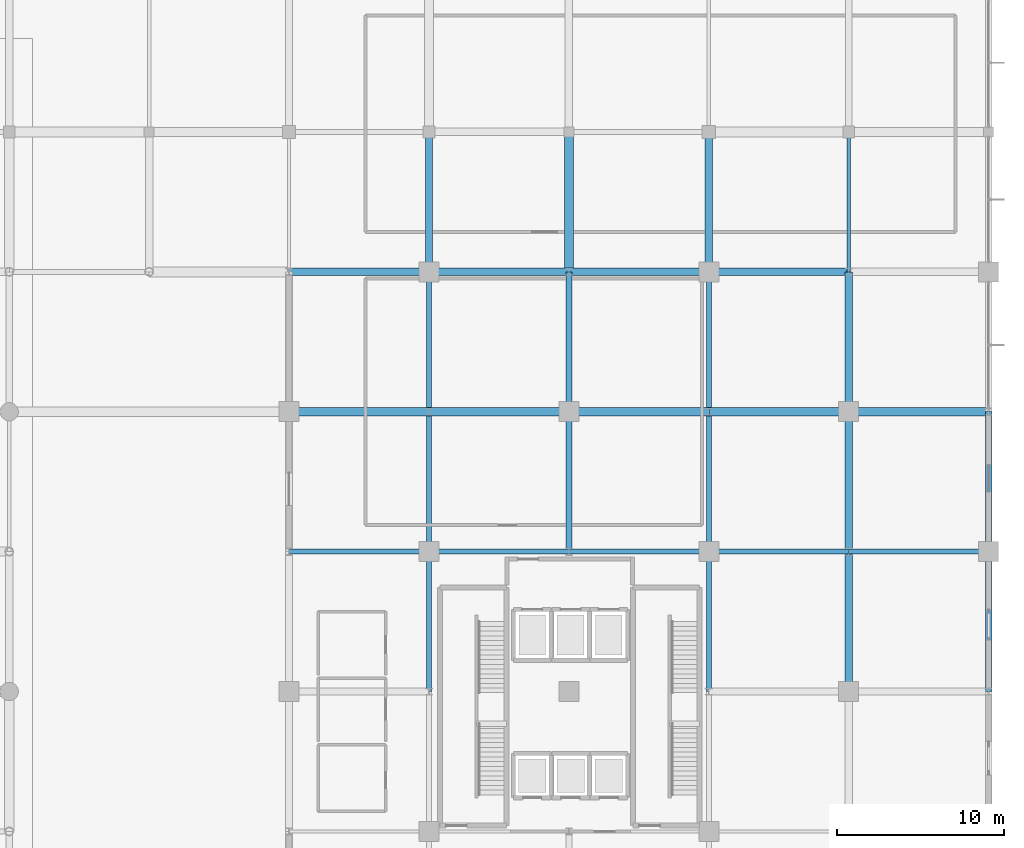
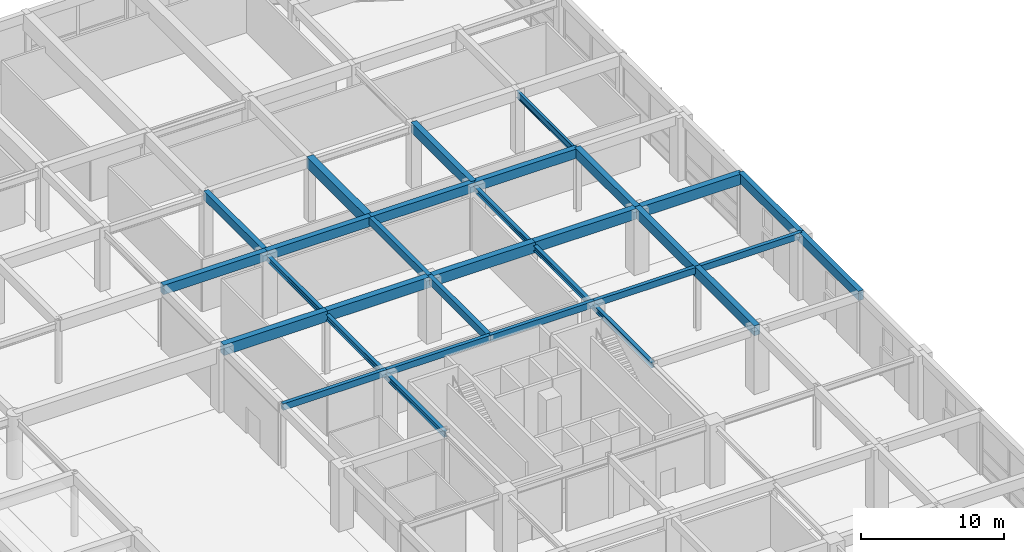
# One storey, part 32 of 62: 31 beams.
"""IFC4 building model written with IfcOpenShell, lengths in metres."""

from ifc_helpers import new_model, si_unit, direction, frame, origin, origin_2d, place, context, subcontext, project, spatial, rectangle, i_section, extrude, material, material_profile, profile_set, type_object, element, save


model = new_model("IFC4")

# Units and contexts
model_context = context("Model", 3, precision=1e-05, world=origin(), true_north=direction((0.0, 1.0)))
body_context = subcontext(model_context, "Body", "Model", "MODEL_VIEW")
ifc_project = project(units=[si_unit("LENGTHUNIT", "METRE"), si_unit("AREAUNIT", "SQUARE_METRE"), si_unit("VOLUMEUNIT", "CUBIC_METRE"), si_unit("PLANEANGLEUNIT", "RADIAN"), si_unit("MASSUNIT", "GRAM", prefix="KILO")], contexts=[model_context])

# Site, building, storey
site_placement = place(None, origin())
site = spatial("IfcSite", under=ifc_project, at=site_placement, CompositionType="ELEMENT")
building_placement = place(site_placement, origin())
building = spatial("IfcBuilding", under=site, at=building_placement, Name="Xuanlan Plaza Opera House", CompositionType="ELEMENT")
storey_placement = place(building_placement, origin())
storey = spatial("IfcBuildingStorey", under=building, at=storey_placement, Name="L00", CompositionType="ELEMENT", Elevation=0.0)

# Beams
ifc_material_1 = material(Name="Concrete C50", Category="concrete")
ifc_material_profile_1 = material_profile(ifc_material_1, rectangle(XDim=0.550048828125, YDim=0.949951171875, at=origin_2d()), Name="RC-BM 550x950")
ifc_profile_set_1 = profile_set([ifc_material_profile_1], Name="Concrete C50")
beam_type_1 = type_object("IfcBeamType", Name="STR-BM-B-02", PredefinedType="BEAM", material=ifc_profile_set_1)
beam_1_placement = place(storey_placement, frame((142.800048828125, 84.0, 4.925048828125), z_axis=(0.0, 1.0, 0.0), x_axis=(-1.0, 0.0, 0.0)))
element("IfcBeam", 1, at=beam_1_placement, inside=storey, type_object=beam_type_1, Name="Grid Beam Y L00 18/K-L", PredefinedType="BEAM", context=body_context, shape_type="SweptSolid", body=[
    extrude(rectangle(XDim=0.550048828125, YDim=0.949951171875, at=origin_2d()), origin(), (0.0, 0.0, 1.0), 8.39990234375),
])
ifc_material_2 = material(Name="Concrete C40", Category="concrete")
ifc_material_profile_2 = material_profile(ifc_material_2, rectangle(XDim=0.5, YDim=0.89990234375, at=origin_2d()), Name="RC-BM 500x900")
ifc_profile_set_2 = profile_set([ifc_material_profile_2], Name="Concrete C40")
beam_type_2 = type_object("IfcBeamType", Name="STR-BM-B-03", PredefinedType="BEAM", material=ifc_profile_set_2)
beam_2_placement = place(storey_placement, frame((126.0, 75.60009765625, 4.949951171875), z_axis=(1.0, 0.0, 0.0), x_axis=(0.0, 1.0, 0.0)))
element("IfcBeam", 2, at=beam_2_placement, inside=storey, type_object=beam_type_2, Name="Grid Beam X L00 16-17/J", PredefinedType="BEAM", context=body_context, shape_type="SweptSolid", body=[
    extrude(rectangle(XDim=0.5, YDim=0.89990234375, at=origin_2d()), origin(), (0.0, 0.0, 1.0), 8.39990234375),
])
beam_3_placement = place(storey_placement, frame((134.39990234375, 75.60009765625, 4.949951171875), z_axis=(1.0, 0.0, 0.0), x_axis=(0.0, 1.0, 0.0)))
element("IfcBeam", 3, at=beam_3_placement, inside=storey, type_object=beam_type_2, Name="Grid Beam X L00 17-18/J", PredefinedType="BEAM", context=body_context, shape_type="SweptSolid", body=[
    extrude(rectangle(XDim=0.5, YDim=0.89990234375, at=origin_2d()), origin(), (0.0, 0.0, 1.0), 8.400146484375),
])
beam_4_placement = place(storey_placement, frame((142.800048828125, 75.60009765625, 4.949951171875), z_axis=(1.0, 0.0, 0.0), x_axis=(0.0, 1.0, 0.0)))
element("IfcBeam", 4, at=beam_4_placement, inside=storey, type_object=beam_type_2, Name="Grid Beam X L00 18-19/J", PredefinedType="BEAM", context=body_context, shape_type="SweptSolid", body=[
    extrude(rectangle(XDim=0.5, YDim=0.89990234375, at=origin_2d()), origin(), (0.0, 0.0, 1.0), 8.39990234375),
])
beam_5_placement = place(storey_placement, frame((151.199951171875, 75.60009765625, 4.949951171875), z_axis=(1.0, 0.0, 0.0), x_axis=(0.0, 1.0, 0.0)))
element("IfcBeam", 5, at=beam_5_placement, inside=storey, type_object=beam_type_2, Name="Grid Beam X L00 19-20/J", PredefinedType="BEAM", context=body_context, shape_type="SweptSolid", body=[
    extrude(rectangle(XDim=0.5, YDim=0.89990234375, at=origin_2d()), origin(), (0.0, 0.0, 1.0), 8.400146484375),
])
beam_6_placement = place(storey_placement, frame((159.60009765625, 75.60009765625, 4.949951171875), z_axis=(1.0, 0.0, 0.0), x_axis=(0.0, 1.0, 0.0)))
element("IfcBeam", 6, at=beam_6_placement, inside=storey, type_object=beam_type_2, Name="Grid Beam X L00 20-21/J", PredefinedType="BEAM", context=body_context, shape_type="SweptSolid", body=[
    extrude(rectangle(XDim=0.5, YDim=0.89990234375, at=origin_2d()), origin(), (0.0, 0.0, 1.0), 8.39990234375),
])
ifc_material_profile_3 = material_profile(ifc_material_2, rectangle(XDim=0.449951171875, YDim=0.85009765625, at=origin_2d()), Name="RC-BM 450x850")
ifc_profile_set_3 = profile_set([ifc_material_profile_3], Name="Concrete C40")
beam_type_3 = type_object("IfcBeamType", Name="STR-BM-B-04", PredefinedType="BEAM", material=ifc_profile_set_3)
for number, where, z_axis, x_axis, name in (
    (7, (151.199951171875, 84.0, 4.97509765625), (0.0, 1.0, 0.0), (-1.0, 0.0, 0.0), "Grid Beam Y L00 19/K-L"),
    (8, (159.60009765625, 58.800048828125, 4.97509765625), (0.0, 1.0, 0.0), (-1.0, 0.0, 0.0), "Grid Beam Y L00 20/H-I"),
):
    element("IfcBeam", number, at=place(storey_placement, frame(where, z_axis=z_axis, x_axis=x_axis)), inside=storey, type_object=beam_type_3, Name=name, PredefinedType="BEAM", context=body_context, shape_type="SweptSolid", body=[
        extrude(rectangle(XDim=0.449951171875, YDim=0.85009765625, at=origin_2d()), origin(), (0.0, 0.0, 1.0), 8.39990234375),
    ])
beam_7_placement = place(storey_placement, frame((159.60009765625, 67.199951171875, 4.97509765625), z_axis=(0.0, 1.0, 0.0), x_axis=(-1.0, 0.0, 0.0)))
element("IfcBeam", 9, at=beam_7_placement, inside=storey, type_object=beam_type_3, Name="Grid Beam Y L00 20/I-J", PredefinedType="BEAM", context=body_context, shape_type="SweptSolid", body=[
    extrude(rectangle(XDim=0.449951171875, YDim=0.85009765625, at=origin_2d()), origin(), (0.0, 0.0, 1.0), 8.400146484375),
])
beam_8_placement = place(storey_placement, frame((159.60009765625, 75.60009765625, 4.97509765625), z_axis=(0.0, 1.0, 0.0), x_axis=(-1.0, 0.0, 0.0)))
element("IfcBeam", 10, at=beam_8_placement, inside=storey, type_object=beam_type_3, Name="Grid Beam Y L00 20/J-K", PredefinedType="BEAM", context=body_context, shape_type="SweptSolid", body=[
    extrude(rectangle(XDim=0.449951171875, YDim=0.85009765625, at=origin_2d()), origin(), (0.0, 0.0, 1.0), 8.39990234375),
])
ifc_material_profile_4 = material_profile(ifc_material_2, rectangle(XDim=0.449951171875, YDim=0.800048828125, at=origin_2d()), Name="RC-BM 450x800")
ifc_profile_set_4 = profile_set([ifc_material_profile_4], Name="Concrete C40")
beam_type_4 = type_object("IfcBeamType", Name="STR-BM-B-05", PredefinedType="BEAM", material=ifc_profile_set_4)
beam_9_placement = place(storey_placement, frame((126.0, 84.0, 5.0), z_axis=(1.0, 0.0, 0.0), x_axis=(0.0, 1.0, 0.0)))
element("IfcBeam", 11, at=beam_9_placement, inside=storey, type_object=beam_type_4, Name="Grid Beam X L00 16-17/K", PredefinedType="BEAM", context=body_context, shape_type="SweptSolid", body=[
    extrude(rectangle(XDim=0.449951171875, YDim=0.800048828125, at=origin_2d()), origin(), (0.0, 0.0, 1.0), 8.39990234375),
])
beam_10_placement = place(storey_placement, frame((134.39990234375, 84.0, 5.0), z_axis=(1.0, 0.0, 0.0), x_axis=(0.0, 1.0, 0.0)))
element("IfcBeam", 12, at=beam_10_placement, inside=storey, type_object=beam_type_4, Name="Grid Beam X L00 17-18/K", PredefinedType="BEAM", context=body_context, shape_type="SweptSolid", body=[
    extrude(rectangle(XDim=0.449951171875, YDim=0.800048828125, at=origin_2d()), origin(), (0.0, 0.0, 1.0), 8.400146484375),
])
beam_11_placement = place(storey_placement, frame((142.800048828125, 84.0, 5.0), z_axis=(1.0, 0.0, 0.0), x_axis=(0.0, 1.0, 0.0)))
element("IfcBeam", 13, at=beam_11_placement, inside=storey, type_object=beam_type_4, Name="Grid Beam X L00 18-19/K", PredefinedType="BEAM", context=body_context, shape_type="SweptSolid", body=[
    extrude(rectangle(XDim=0.449951171875, YDim=0.800048828125, at=origin_2d()), origin(), (0.0, 0.0, 1.0), 8.39990234375),
])
beam_12_placement = place(storey_placement, frame((151.199951171875, 84.0, 5.0), z_axis=(1.0, 0.0, 0.0), x_axis=(0.0, 1.0, 0.0)))
element("IfcBeam", 14, at=beam_12_placement, inside=storey, type_object=beam_type_4, Name="Grid Beam X L00 19-20/K", PredefinedType="BEAM", context=body_context, shape_type="SweptSolid", body=[
    extrude(rectangle(XDim=0.449951171875, YDim=0.800048828125, at=origin_2d()), origin(), (0.0, 0.0, 1.0), 8.400146484375),
])
ifc_material_profile_5 = material_profile(ifc_material_2, rectangle(XDim=0.39990234375, YDim=0.75, at=origin_2d()), Name="RC-BM 400x750")
ifc_profile_set_5 = profile_set([ifc_material_profile_5], Name="Concrete C40")
beam_type_5 = type_object("IfcBeamType", Name="STR-BM-B-06", PredefinedType="BEAM", material=ifc_profile_set_5)
beam_13_placement = place(storey_placement, frame((134.39990234375, 84.0, 5.02490234375), z_axis=(0.0, 1.0, 0.0), x_axis=(-1.0, 0.0, 0.0)))
element("IfcBeam", 15, at=beam_13_placement, inside=storey, type_object=beam_type_5, Name="Grid Beam Y L00 17/K-L", PredefinedType="BEAM", context=body_context, shape_type="SweptSolid", body=[
    extrude(rectangle(XDim=0.39990234375, YDim=0.75, at=origin_2d()), origin(), (0.0, 0.0, 1.0), 8.39990234375),
])
ifc_material_profile_6 = material_profile(ifc_material_2, rectangle(XDim=0.35009765625, YDim=0.64990234375, at=origin_2d()), Name="RC-BM 350x650")
ifc_profile_set_6 = profile_set([ifc_material_profile_6], Name="Concrete C40")
beam_type_6 = type_object("IfcBeamType", Name="STR-BM-B-08", PredefinedType="BEAM", material=ifc_profile_set_6)
beam_14_placement = place(storey_placement, frame((142.800048828125, 67.199951171875, 5.074951171875), z_axis=(0.0, 1.0, 0.0), x_axis=(-1.0, 0.0, 0.0)))
element("IfcBeam", 16, at=beam_14_placement, inside=storey, type_object=beam_type_6, Name="Grid Beam Y L00 18/I-J", PredefinedType="BEAM", context=body_context, shape_type="SweptSolid", body=[
    extrude(rectangle(XDim=0.35009765625, YDim=0.64990234375, at=origin_2d()), origin(), (0.0, 0.0, 1.0), 8.400146484375),
])
beam_15_placement = place(storey_placement, frame((142.800048828125, 75.60009765625, 5.074951171875), z_axis=(0.0, 1.0, 0.0), x_axis=(-1.0, 0.0, 0.0)))
element("IfcBeam", 17, at=beam_15_placement, inside=storey, type_object=beam_type_6, Name="Grid Beam Y L00 18/J-K", PredefinedType="BEAM", context=body_context, shape_type="SweptSolid", body=[
    extrude(rectangle(XDim=0.35009765625, YDim=0.64990234375, at=origin_2d()), origin(), (0.0, 0.0, 1.0), 8.39990234375),
])
ifc_material_profile_7 = material_profile(ifc_material_2, rectangle(XDim=0.300048828125, YDim=0.550048828125, at=origin_2d()), Name="RC-BM 300x550")
ifc_profile_set_7 = profile_set([ifc_material_profile_7], Name="Concrete C40")
beam_type_7 = type_object("IfcBeamType", Name="STR-BM-B-09", PredefinedType="BEAM", material=ifc_profile_set_7)
beam_16_placement = place(storey_placement, frame((126.0, 67.199951171875, 5.125), z_axis=(1.0, 0.0, 0.0), x_axis=(0.0, 1.0, 0.0)))
element("IfcBeam", 18, at=beam_16_placement, inside=storey, type_object=beam_type_7, Name="Grid Beam X L00 16-17/I", PredefinedType="BEAM", context=body_context, shape_type="SweptSolid", body=[
    extrude(rectangle(XDim=0.300048828125, YDim=0.550048828125, at=origin_2d()), origin(), (0.0, 0.0, 1.0), 8.39990234375),
])
beam_17_placement = place(storey_placement, frame((134.39990234375, 67.199951171875, 5.125), z_axis=(1.0, 0.0, 0.0), x_axis=(0.0, 1.0, 0.0)))
element("IfcBeam", 19, at=beam_17_placement, inside=storey, type_object=beam_type_7, Name="Grid Beam X L00 17-18/I", PredefinedType="BEAM", context=body_context, shape_type="SweptSolid", body=[
    extrude(rectangle(XDim=0.300048828125, YDim=0.550048828125, at=origin_2d()), origin(), (0.0, 0.0, 1.0), 8.400146484375),
])
beam_18_placement = place(storey_placement, frame((142.800048828125, 67.199951171875, 5.125), z_axis=(1.0, 0.0, 0.0), x_axis=(0.0, 1.0, 0.0)))
element("IfcBeam", 20, at=beam_18_placement, inside=storey, type_object=beam_type_7, Name="Grid Beam X L00 18-19/I", PredefinedType="BEAM", context=body_context, shape_type="SweptSolid", body=[
    extrude(rectangle(XDim=0.300048828125, YDim=0.550048828125, at=origin_2d()), origin(), (0.0, 0.0, 1.0), 8.39990234375),
])
beam_19_placement = place(storey_placement, frame((151.199951171875, 67.199951171875, 5.125), z_axis=(1.0, 0.0, 0.0), x_axis=(0.0, 1.0, 0.0)))
element("IfcBeam", 21, at=beam_19_placement, inside=storey, type_object=beam_type_7, Name="Grid Beam X L00 19-20/I", PredefinedType="BEAM", context=body_context, shape_type="SweptSolid", body=[
    extrude(rectangle(XDim=0.300048828125, YDim=0.550048828125, at=origin_2d()), origin(), (0.0, 0.0, 1.0), 8.400146484375),
])
beam_20_placement = place(storey_placement, frame((159.60009765625, 67.199951171875, 5.125), z_axis=(1.0, 0.0, 0.0), x_axis=(0.0, 1.0, 0.0)))
element("IfcBeam", 22, at=beam_20_placement, inside=storey, type_object=beam_type_7, Name="Grid Beam X L00 20-21/I", PredefinedType="BEAM", context=body_context, shape_type="SweptSolid", body=[
    extrude(rectangle(XDim=0.300048828125, YDim=0.550048828125, at=origin_2d()), origin(), (0.0, 0.0, 1.0), 8.39990234375),
])
ifc_material_3 = material(Name="Steel Q355B", Category="steel")
ifc_material_profile_8 = material_profile(ifc_material_3, i_section(OverallWidth=0.199951171875, OverallDepth=0.60009765625, WebThickness=0.010986328125, FlangeThickness=0.01708984375, FilletRadius=0.02197265625, at=origin_2d()), Name="HN 600x200x11x17")
ifc_profile_set_8 = profile_set([ifc_material_profile_8], Name="Steel Q355B")
beam_type_8 = type_object("IfcBeamType", Name="STR-BM-SB-04", PredefinedType="BEAM", material=ifc_profile_set_8)
beam_21_placement = place(storey_placement, frame((159.60009765625, 84.0, 4.8349609375), z_axis=(0.0, 1.0, 0.0), x_axis=(-1.0, 0.0, 0.0)))
element("IfcBeam", 23, at=beam_21_placement, inside=storey, type_object=beam_type_8, Name="Grid Beam Y L00 20/K-L", PredefinedType="BEAM", context=body_context, shape_type="SweptSolid", body=[
    extrude(i_section(OverallWidth=0.199951171875, OverallDepth=0.60009765625, WebThickness=0.010986328125, FlangeThickness=0.01708984375, FilletRadius=0.02197265625, at=origin_2d()), origin(), (0.0, 0.0, 1.0), 8.39990234375),
])
ifc_material_profile_9 = material_profile(ifc_material_3, i_section(OverallWidth=0.300048828125, OverallDepth=0.488037109375, WebThickness=0.010986328125, FlangeThickness=0.01806640625, FilletRadius=0.02197265625, at=origin_2d()), Name="HM 488x300x11x18")
ifc_profile_set_9 = profile_set([ifc_material_profile_9], Name="Steel Q355B")
beam_type_9 = type_object("IfcBeamType", Name="STR-BM-SB-07", PredefinedType="BEAM", material=ifc_profile_set_9)
beam_22_placement = place(storey_placement, frame((134.39990234375, 58.800048828125, 4.89111328125), z_axis=(0.0, 1.0, 0.0), x_axis=(-1.0, 0.0, 0.0)))
element("IfcBeam", 24, at=beam_22_placement, inside=storey, type_object=beam_type_9, Name="Grid Beam Y L00 17/H-I", PredefinedType="BEAM", context=body_context, shape_type="SweptSolid", body=[
    extrude(i_section(OverallWidth=0.300048828125, OverallDepth=0.488037109375, WebThickness=0.010986328125, FlangeThickness=0.01806640625, FilletRadius=0.02197265625, at=origin_2d()), origin(), (0.0, 0.0, 1.0), 8.39990234375),
])
beam_23_placement = place(storey_placement, frame((134.39990234375, 67.199951171875, 4.89111328125), z_axis=(0.0, 1.0, 0.0), x_axis=(-1.0, 0.0, 0.0)))
element("IfcBeam", 25, at=beam_23_placement, inside=storey, type_object=beam_type_9, Name="Grid Beam Y L00 17/I-J", PredefinedType="BEAM", context=body_context, shape_type="SweptSolid", body=[
    extrude(i_section(OverallWidth=0.300048828125, OverallDepth=0.488037109375, WebThickness=0.010986328125, FlangeThickness=0.01806640625, FilletRadius=0.02197265625, at=origin_2d()), origin(), (0.0, 0.0, 1.0), 8.400146484375),
])
beam_24_placement = place(storey_placement, frame((134.39990234375, 75.60009765625, 4.89111328125), z_axis=(0.0, 1.0, 0.0), x_axis=(-1.0, 0.0, 0.0)))
element("IfcBeam", 26, at=beam_24_placement, inside=storey, type_object=beam_type_9, Name="Grid Beam Y L00 17/J-K", PredefinedType="BEAM", context=body_context, shape_type="SweptSolid", body=[
    extrude(i_section(OverallWidth=0.300048828125, OverallDepth=0.488037109375, WebThickness=0.010986328125, FlangeThickness=0.01806640625, FilletRadius=0.02197265625, at=origin_2d()), origin(), (0.0, 0.0, 1.0), 8.39990234375),
])
ifc_material_profile_10 = material_profile(ifc_material_3, i_section(OverallWidth=0.300048828125, OverallDepth=0.43994140625, WebThickness=0.010986328125, FlangeThickness=0.01806640625, FilletRadius=0.02001953125, at=origin_2d()), Name="HM 440x300x11x18")
ifc_profile_set_10 = profile_set([ifc_material_profile_10], Name="Steel Q355B")
beam_type_10 = type_object("IfcBeamType", Name="STR-BM-SB-08", PredefinedType="BEAM", material=ifc_profile_set_10)
beam_25_placement = place(storey_placement, frame((151.199951171875, 58.800048828125, 4.9150390625), z_axis=(0.0, 1.0, 0.0), x_axis=(-1.0, 0.0, 0.0)))
element("IfcBeam", 27, at=beam_25_placement, inside=storey, type_object=beam_type_10, Name="Grid Beam Y L00 19/H-I", PredefinedType="BEAM", context=body_context, shape_type="SweptSolid", body=[
    extrude(i_section(OverallWidth=0.300048828125, OverallDepth=0.43994140625, WebThickness=0.010986328125, FlangeThickness=0.01806640625, FilletRadius=0.02001953125, at=origin_2d()), origin(), (0.0, 0.0, 1.0), 8.39990234375),
])
beam_26_placement = place(storey_placement, frame((151.199951171875, 67.199951171875, 4.9150390625), z_axis=(0.0, 1.0, 0.0), x_axis=(-1.0, 0.0, 0.0)))
element("IfcBeam", 28, at=beam_26_placement, inside=storey, type_object=beam_type_10, Name="Grid Beam Y L00 19/I-J", PredefinedType="BEAM", context=body_context, shape_type="SweptSolid", body=[
    extrude(i_section(OverallWidth=0.300048828125, OverallDepth=0.43994140625, WebThickness=0.010986328125, FlangeThickness=0.01806640625, FilletRadius=0.02001953125, at=origin_2d()), origin(), (0.0, 0.0, 1.0), 8.400146484375),
])
beam_27_placement = place(storey_placement, frame((151.199951171875, 75.60009765625, 4.9150390625), z_axis=(0.0, 1.0, 0.0), x_axis=(-1.0, 0.0, 0.0)))
element("IfcBeam", 29, at=beam_27_placement, inside=storey, type_object=beam_type_10, Name="Grid Beam Y L00 19/J-K", PredefinedType="BEAM", context=body_context, shape_type="SweptSolid", body=[
    extrude(i_section(OverallWidth=0.300048828125, OverallDepth=0.43994140625, WebThickness=0.010986328125, FlangeThickness=0.01806640625, FilletRadius=0.02001953125, at=origin_2d()), origin(), (0.0, 0.0, 1.0), 8.39990234375),
])
ifc_material_profile_11 = material_profile(ifc_material_2, rectangle(XDim=0.39990234375, YDim=0.800048828125, at=origin_2d()), Name="RC-SPD 400x800")
ifc_profile_set_11 = profile_set([ifc_material_profile_11], Name="Concrete C40")
beam_type_11 = type_object("IfcBeamType", Name="STR-BM-SP-01", PredefinedType="SPANDREL", material=ifc_profile_set_11)
beam_28_placement = place(storey_placement, frame((168.0, 58.800048828125, 5.0), z_axis=(0.0, 1.0, 0.0), x_axis=(-1.0, 0.0, 0.0)))
element("IfcBeam", 30, at=beam_28_placement, inside=storey, type_object=beam_type_11, Name="Grid Beam Y L00 21/H-I", PredefinedType="SPANDREL", context=body_context, shape_type="SweptSolid", body=[
    extrude(rectangle(XDim=0.39990234375, YDim=0.800048828125, at=origin_2d()), origin(), (0.0, 0.0, 1.0), 8.39990234375),
])
beam_29_placement = place(storey_placement, frame((168.0, 67.199951171875, 5.0), z_axis=(0.0, 1.0, 0.0), x_axis=(-1.0, 0.0, 0.0)))
element("IfcBeam", 31, at=beam_29_placement, inside=storey, type_object=beam_type_11, Name="Grid Beam Y L00 21/I-J", PredefinedType="SPANDREL", context=body_context, shape_type="SweptSolid", body=[
    extrude(rectangle(XDim=0.39990234375, YDim=0.800048828125, at=origin_2d()), origin(), (0.0, 0.0, 1.0), 8.400146484375),
])

save(model, "model.ifc")
